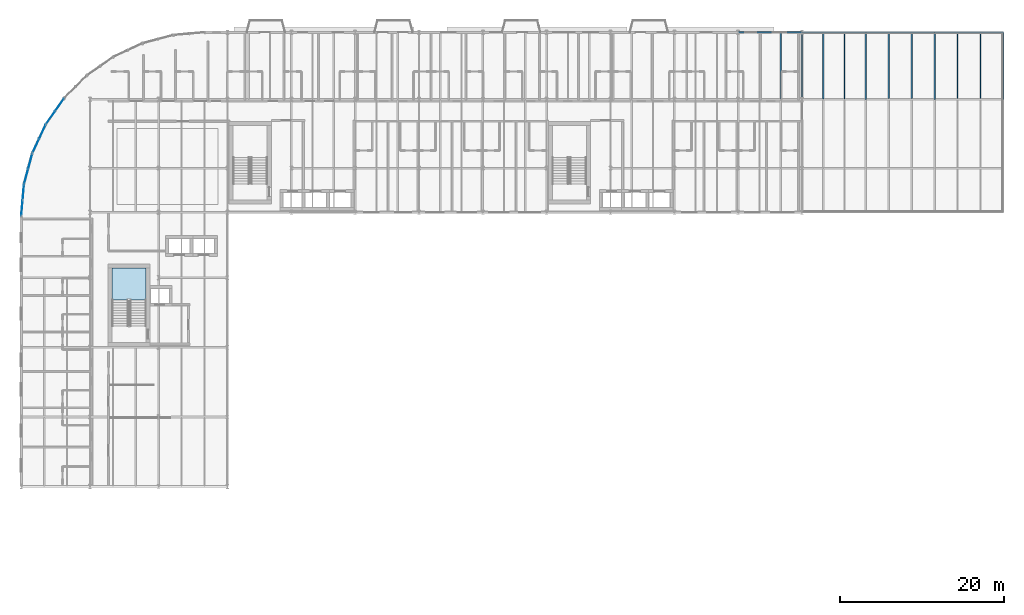
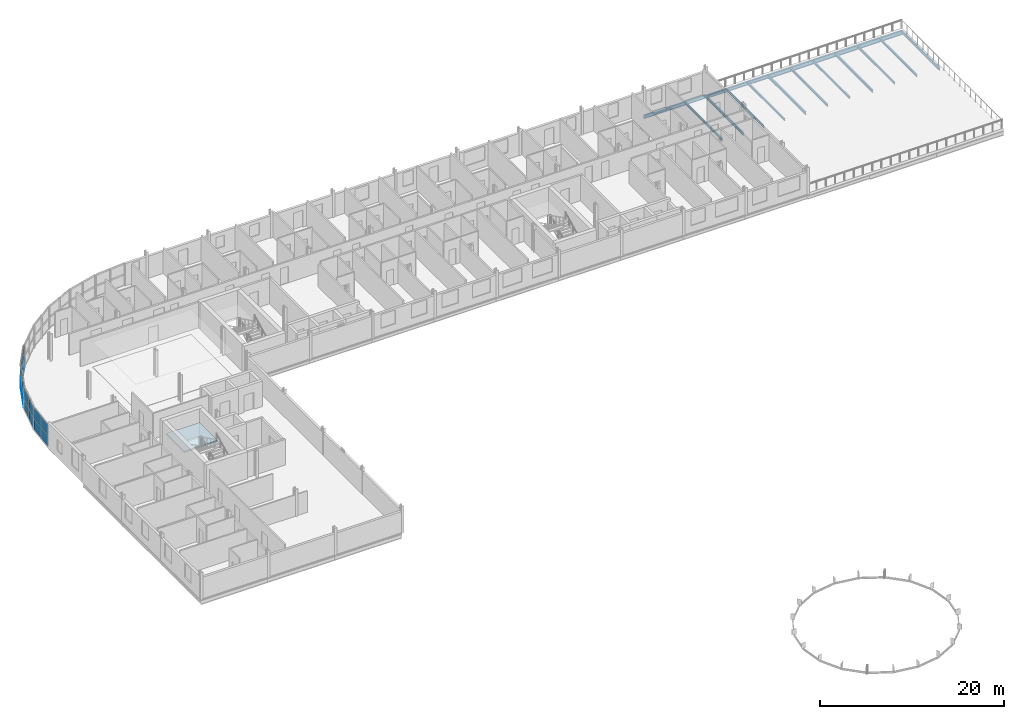
# One storey, part 10 of 30: 16 plates, 15 beams, 1 slab, 5 elements without a shape of their own.
"""IFC4 building model written with IfcOpenShell, lengths in metres."""

from ifc_helpers import new_model, si_unit, direction, frame, origin, origin_2d, place, context, subcontext, project, spatial, polyline, rectangle, i_section, outline, extrude, material, layer, layer_set, material_profile, profile_set, type_object, element, aggregate, save


model = new_model("IFC4")

# Units and contexts
model_context = context("Model", 3, precision=1e-05, world=origin(), true_north=direction((0.0, 1.0)))
body_context = subcontext(model_context, "Body", "Model", "MODEL_VIEW")
ifc_project = project(units=[si_unit("LENGTHUNIT", "METRE"), si_unit("AREAUNIT", "SQUARE_METRE"), si_unit("VOLUMEUNIT", "CUBIC_METRE"), si_unit("PLANEANGLEUNIT", "RADIAN"), si_unit("MASSUNIT", "GRAM", prefix="KILO")], contexts=[model_context])

# Site, building, storey
site_placement = place(None, origin())
site = spatial("IfcSite", under=ifc_project, at=site_placement, CompositionType="ELEMENT")
building_placement = place(site_placement, origin())
building = spatial("IfcBuilding", under=site, at=building_placement, Name="Sefraquen Railside Congress Hotel", CompositionType="ELEMENT")
storey_placement = place(building_placement, frame((0.0, 0.0, 35.39990234375)))
storey = spatial("IfcBuildingStorey", under=building, at=storey_placement, Name="L08", CompositionType="ELEMENT", Elevation=35.39990234375)

# Beams
ifc_material_1 = material(Name="Steel S355JR", Category="steel")
ifc_material_profile_1 = material_profile(ifc_material_1, i_section(OverallWidth=0.169921875, OverallDepth=0.360107421875, WebThickness=0.008056640625, FlangeThickness=0.0126953125, FilletRadius=0.01806640625, at=origin_2d()), Name="IPE 360")
ifc_profile_set_1 = profile_set([ifc_material_profile_1], Name="Steel S355JR")
beam_type_1 = type_object("IfcBeamType", Name="TB-BM-360", PredefinedType="BEAM", material=ifc_profile_set_1)
for number, where, z_axis, x_axis, name in (
    (1, (95.39990234375, 109.800048828125, -0.5), (0.0, 1.0, 0.0), (-1.0, 0.0, 0.0), "Floor beam BM-L08-1939"),
    (2, (103.199951171875, 109.800048828125, -0.5), (0.0, 1.0, 0.0), (-1.0, 0.0, 0.0), "Floor beam BM-L08-1942"),
    (3, (111.60009765625, 109.800048828125, -0.5), (0.0, 1.0, 0.0), (-1.0, 0.0, 0.0), "Floor beam BM-L08-1945"),
    (4, (120.0, 109.800048828125, -0.5), (0.0, 1.0, 0.0), (-1.0, 0.0, 0.0), "Floor beam BM-L08-1948"),
):
    element("IfcBeam", number, at=place(storey_placement, frame(where, z_axis=z_axis, x_axis=x_axis)), inside=storey, type_object=beam_type_1, Name=name, PredefinedType="BEAM", context=body_context, shape_type="SweptSolid", body=[
        extrude(i_section(OverallWidth=0.169921875, OverallDepth=0.360107421875, WebThickness=0.008056640625, FlangeThickness=0.0126953125, FilletRadius=0.01806640625, at=origin_2d()), origin(), (0.0, 0.0, 1.0), 8.199951171875),
    ])
ifc_material_profile_2 = material_profile(ifc_material_1, i_section(OverallWidth=0.18994140625, OverallDepth=0.449951171875, WebThickness=0.009521484375, FlangeThickness=0.0146484375, FilletRadius=0.02099609375, at=origin_2d()), Name="IPE 450")
ifc_profile_set_2 = profile_set([ifc_material_profile_2], Name="Steel S355JR")
beam_type_2 = type_object("IfcBeamType", Name="TB-BM-450", PredefinedType="BEAM", material=ifc_profile_set_2)
beam_1_placement = place(storey_placement, frame((87.60009765625, 118.0, -0.46484375), z_axis=(1.0, 0.0, 0.0), x_axis=(0.0, 1.0, 0.0)))
element("IfcBeam", 5, at=beam_1_placement, inside=storey, type_object=beam_type_2, Name="Primary girder BM-L08-1887", PredefinedType="BEAM", context=body_context, shape_type="SweptSolid", body=[
    extrude(i_section(OverallWidth=0.18994140625, OverallDepth=0.449951171875, WebThickness=0.009521484375, FlangeThickness=0.0146484375, FilletRadius=0.02099609375, at=origin_2d()), origin(), (0.0, 0.0, 1.0), 7.7998046875),
])
beam_2_placement = place(storey_placement, frame((95.39990234375, 118.0, -0.544921875), z_axis=(1.0, 0.0, 0.0), x_axis=(0.0, 1.0, 0.0)))
element("IfcBeam", 6, at=beam_2_placement, inside=storey, type_object=beam_type_2, Name="Primary girder BM-L08-1888", PredefinedType="BEAM", context=body_context, shape_type="SweptSolid", body=[
    extrude(i_section(OverallWidth=0.18994140625, OverallDepth=0.449951171875, WebThickness=0.009521484375, FlangeThickness=0.0146484375, FilletRadius=0.02099609375, at=origin_2d()), origin(), (0.0, 0.0, 1.0), 7.800048828125),
])
ifc_material_profile_3 = material_profile(ifc_material_1, i_section(OverallWidth=0.2099609375, OverallDepth=0.550048828125, WebThickness=0.010986328125, FlangeThickness=0.01708984375, FilletRadius=0.02392578125, at=origin_2d()), Name="IPE 550")
ifc_profile_set_3 = profile_set([ifc_material_profile_3], Name="Steel S355JR")
beam_type_3 = type_object("IfcBeamType", Name="TB-GIR-550", PredefinedType="T_BEAM", material=ifc_profile_set_3)
beam_3_placement = place(storey_placement, frame((103.199951171875, 118.0, -0.594970703125), z_axis=(1.0, 0.0, 0.0), x_axis=(0.0, 1.0, 0.0)))
element("IfcBeam", 7, at=beam_3_placement, inside=storey, type_object=beam_type_3, Name="Primary girder BM-L08-1889", PredefinedType="T_BEAM", context=body_context, shape_type="SweptSolid", body=[
    extrude(i_section(OverallWidth=0.2099609375, OverallDepth=0.550048828125, WebThickness=0.010986328125, FlangeThickness=0.01708984375, FilletRadius=0.02392578125, at=origin_2d()), origin(), (0.0, 0.0, 1.0), 8.400146484375),
])
beam_4_placement = place(storey_placement, frame((111.60009765625, 118.0, -0.594970703125), z_axis=(1.0, 0.0, 0.0), x_axis=(0.0, 1.0, 0.0)))
element("IfcBeam", 8, at=beam_4_placement, inside=storey, type_object=beam_type_3, Name="Primary girder BM-L08-1890", PredefinedType="T_BEAM", context=body_context, shape_type="SweptSolid", body=[
    extrude(i_section(OverallWidth=0.2099609375, OverallDepth=0.550048828125, WebThickness=0.010986328125, FlangeThickness=0.01708984375, FilletRadius=0.02392578125, at=origin_2d()), origin(), (0.0, 0.0, 1.0), 8.39990234375),
])
ifc_material_profile_4 = material_profile(ifc_material_1, i_section(OverallWidth=0.14990234375, OverallDepth=0.300048828125, WebThickness=0.007080078125, FlangeThickness=0.0107421875, FilletRadius=0.014892578125, at=origin_2d()), Name="IPE 300")
ifc_profile_set_4 = profile_set([ifc_material_profile_4], Name="Steel S355JR")
beam_type_4 = type_object("IfcBeamType", Name="TB-JST-300", PredefinedType="JOIST", material=ifc_profile_set_4)
for number, where, z_axis, x_axis, name in (
    (9, (92.800048828125, 109.875, -0.389892578125), (0.0, 1.0, 0.0), (-1.0, 0.0, 0.0), "Composite floor joist BM-L08-J1305"),
    (10, (98.0, 109.875, -0.469970703125), (0.0, 1.0, 0.0), (-1.0, 0.0, 0.0), "Composite floor joist BM-L08-J1310"),
    (11, (100.60009765625, 109.875, -0.469970703125), (0.0, 1.0, 0.0), (-1.0, 0.0, 0.0), "Composite floor joist BM-L08-J1311"),
):
    element("IfcBeam", number, at=place(storey_placement, frame(where, z_axis=z_axis, x_axis=x_axis)), inside=storey, type_object=beam_type_4, Name=name, PredefinedType="JOIST", context=body_context, shape_type="SweptSolid", body=[
        extrude(i_section(OverallWidth=0.14990234375, OverallDepth=0.300048828125, WebThickness=0.007080078125, FlangeThickness=0.0107421875, FilletRadius=0.014892578125, at=origin_2d()), origin(), (0.0, 0.0, 1.0), 8.050048828125),
    ])
for number, where, z_axis, x_axis, name in (
    (12, (106.0, 109.885009765625, -0.469970703125), (0.0, 1.0, 0.0), (-1.0, 0.0, 0.0), "Composite floor joist BM-L08-J1316"),
    (13, (108.800048828125, 109.885009765625, -0.469970703125), (0.0, 1.0, 0.0), (-1.0, 0.0, 0.0), "Composite floor joist BM-L08-J1317"),
    (14, (114.39990234375, 109.885009765625, -0.469970703125), (0.0, 1.0, 0.0), (-1.0, 0.0, 0.0), "Composite floor joist BM-L08-J1322"),
    (15, (117.199951171875, 109.885009765625, -0.469970703125), (0.0, 1.0, 0.0), (-1.0, 0.0, 0.0), "Composite floor joist BM-L08-J1323"),
):
    element("IfcBeam", number, at=place(storey_placement, frame(where, z_axis=z_axis, x_axis=x_axis)), inside=storey, type_object=beam_type_4, Name=name, PredefinedType="JOIST", context=body_context, shape_type="SweptSolid", body=[
        extrude(i_section(OverallWidth=0.14990234375, OverallDepth=0.300048828125, WebThickness=0.007080078125, FlangeThickness=0.0107421875, FilletRadius=0.014892578125, at=origin_2d()), origin(), (0.0, 0.0, 1.0), 8.030029296875),
    ])

# Curtain wall, plates
ifc_material_2 = material(Name="Thermally broken anodised aluminium and low-E double glazing", Category="aluminium")
ifc_layer_1 = layer(ifc_material_2, 0.199951171875)
ifc_layer_set_1 = layer_set([ifc_layer_1], Name="Thermally broken anodised aluminium and low-E double glazing")
curtain_wall_type_1 = type_object("IfcCurtainWallType", Name="TCW-UCW-14", PredefinedType="USERDEFINED", material=ifc_layer_set_1)
curtain_wall_1_placement = place(storey_placement, origin())
curtain_wall_1 = element("IfcCurtainWall", 16, at=curtain_wall_1_placement, inside=storey, type_object=curtain_wall_type_1, Name="Rotunda L08 curved curtain wall facet 6", ObjectType="UNITISED CURTAIN WALL", PredefinedType="USERDEFINED")
ifc_material_3 = material(Name="Solar-control low-E double glazing", Category="glass")
ifc_layer_2 = layer(ifc_material_3, 0.02392578125)
ifc_layer_set_2 = layer_set([ifc_layer_2], Name="Solar-control low-E double glazing")
plate_type_1 = type_object("IfcPlateType", Name="TP-CWP-01", PredefinedType="CURTAIN_PANEL", material=ifc_layer_set_2)
plate_1_placement = place(storey_placement, frame((4.690185546875, 109.14306640625, 0.0400390625), z_axis=(0.0, 0.0, 1.0), x_axis=(-0.573605029802, -0.819132022195, 0.0)))
plate_1 = element("IfcPlate", 17, at=plate_1_placement, type_object=plate_type_1, Name="CW-L08-ROT-06 panel 1.1", PredefinedType="CURTAIN_PANEL", context=body_context, shape_type="SweptSolid", body=[
    extrude(rectangle(XDim=1.8310546875, YDim=0.02392578125, at=origin_2d()), origin(), (0.0, 0.0, 1.0), 1.385009765625),
])
plate_2_placement = place(storey_placement, frame((3.58837890625, 107.569580078125, 0.0400390625), z_axis=(0.0, 0.0, 1.0), x_axis=(-0.573605029802, -0.819132022195, 0.0)))
plate_2 = element("IfcPlate", 18, at=plate_2_placement, type_object=plate_type_1, Name="CW-L08-ROT-06 panel 1.2", PredefinedType="CURTAIN_PANEL", context=body_context, shape_type="SweptSolid", body=[
    extrude(rectangle(XDim=1.8310546875, YDim=0.02392578125, at=origin_2d()), origin(), (0.0, 0.0, 1.0), 1.385009765625),
])

ifc_layer_3 = layer(ifc_material_2, 0.199951171875)
ifc_layer_set_3 = layer_set([ifc_layer_3], Name="Thermally broken anodised aluminium and low-E double glazing")
curtain_wall_type_2 = type_object("IfcCurtainWallType", Name="TCW-UCW-15", PredefinedType="USERDEFINED", material=ifc_layer_set_3)
curtain_wall_2_placement = place(storey_placement, origin())
curtain_wall_2 = element("IfcCurtainWall", 19, at=curtain_wall_2_placement, inside=storey, type_object=curtain_wall_type_2, Name="Rotunda L08 curved curtain wall facet 7", ObjectType="UNITISED CURTAIN WALL", PredefinedType="USERDEFINED")
plate_3_placement = place(storey_placement, frame((2.591552734375, 105.84326171875, 0.0400390625), z_axis=(0.0, 0.0, 1.0), x_axis=(-0.422634079731, -0.906300410818, 0.0)))
plate_3 = element("IfcPlate", 20, at=plate_3_placement, type_object=plate_type_1, Name="CW-L08-ROT-07 panel 1.1", PredefinedType="CURTAIN_PANEL", context=body_context, shape_type="SweptSolid", body=[
    extrude(rectangle(XDim=1.830810546875, YDim=0.02392578125, at=origin_2d()), origin(), (0.0, 0.0, 1.0), 1.385009765625),
])
plate_4_placement = place(storey_placement, frame((1.77978515625, 104.102294921875, 0.0400390625), z_axis=(0.0, 0.0, 1.0), x_axis=(-0.422634079731, -0.906300410818, 0.0)))
plate_4 = element("IfcPlate", 21, at=plate_4_placement, type_object=plate_type_1, Name="CW-L08-ROT-07 panel 1.2", PredefinedType="CURTAIN_PANEL", context=body_context, shape_type="SweptSolid", body=[
    extrude(rectangle(XDim=1.830810546875, YDim=0.02392578125, at=origin_2d()), origin(), (0.0, 0.0, 1.0), 1.385009765625),
])

ifc_layer_4 = layer(ifc_material_2, 0.199951171875)
ifc_layer_set_4 = layer_set([ifc_layer_4], Name="Thermally broken anodised aluminium and low-E double glazing")
curtain_wall_type_3 = type_object("IfcCurtainWallType", Name="TCW-UCW-16", PredefinedType="USERDEFINED", material=ifc_layer_set_4)
curtain_wall_3_placement = place(storey_placement, origin())
curtain_wall_3 = element("IfcCurtainWall", 22, at=curtain_wall_3_placement, inside=storey, type_object=curtain_wall_type_3, Name="Rotunda L08 curved curtain wall facet 8", ObjectType="UNITISED CURTAIN WALL", PredefinedType="USERDEFINED")
plate_5_placement = place(storey_placement, frame((1.097900390625, 102.22900390625, 0.0400390625), z_axis=(0.0, 0.0, 1.0), x_axis=(-0.258785327773, -0.96593486019, 0.0)))
plate_5 = element("IfcPlate", 23, at=plate_5_placement, type_object=plate_type_1, Name="CW-L08-ROT-08 panel 1.1", PredefinedType="CURTAIN_PANEL", context=body_context, shape_type="SweptSolid", body=[
    extrude(rectangle(XDim=1.8310546875, YDim=0.02392578125, at=origin_2d()), origin(), (0.0, 0.0, 1.0), 1.385009765625),
])
plate_6_placement = place(storey_placement, frame((0.6005859375, 100.37353515625, 0.0400390625), z_axis=(0.0, 0.0, 1.0), x_axis=(-0.258785327773, -0.96593486019, 0.0)))
plate_6 = element("IfcPlate", 24, at=plate_6_placement, type_object=plate_type_1, Name="CW-L08-ROT-08 panel 1.2", PredefinedType="CURTAIN_PANEL", context=body_context, shape_type="SweptSolid", body=[
    extrude(rectangle(XDim=1.8310546875, YDim=0.02392578125, at=origin_2d()), origin(), (0.0, 0.0, 1.0), 1.385009765625),
])

ifc_layer_5 = layer(ifc_material_2, 0.199951171875)
ifc_layer_set_5 = layer_set([ifc_layer_5], Name="Thermally broken anodised aluminium and low-E double glazing")
curtain_wall_type_4 = type_object("IfcCurtainWallType", Name="TCW-UCW-17", PredefinedType="USERDEFINED", material=ifc_layer_set_5)
curtain_wall_4_placement = place(storey_placement, origin())
curtain_wall_4 = element("IfcCurtainWall", 25, at=curtain_wall_4_placement, inside=storey, type_object=curtain_wall_type_4, Name="Rotunda L08 curved curtain wall facet 9", ObjectType="UNITISED CURTAIN WALL", PredefinedType="USERDEFINED")
plate_7_placement = place(storey_placement, frame((0.254638671875, 98.410400390625, 0.0400390625), z_axis=(0.0, 0.0, 1.0), x_axis=(-0.087138355857, -0.996196219095, 0.0)))
plate_7 = element("IfcPlate", 26, at=plate_7_placement, type_object=plate_type_1, Name="CW-L08-ROT-09 panel 1.1", PredefinedType="CURTAIN_PANEL", context=body_context, shape_type="SweptSolid", body=[
    extrude(rectangle(XDim=1.8310546875, YDim=0.02392578125, at=origin_2d()), origin(), (0.0, 0.0, 1.0), 1.385009765625),
])
plate_8_placement = place(storey_placement, frame((0.087158203125, 96.49658203125, 0.0400390625), z_axis=(0.0, 0.0, 1.0), x_axis=(-0.087138355857, -0.996196219095, 0.0)))
plate_8 = element("IfcPlate", 27, at=plate_8_placement, type_object=plate_type_1, Name="CW-L08-ROT-09 panel 1.2", PredefinedType="CURTAIN_PANEL", context=body_context, shape_type="SweptSolid", body=[
    extrude(rectangle(XDim=1.8310546875, YDim=0.02392578125, at=origin_2d()), origin(), (0.0, 0.0, 1.0), 1.385009765625),
])

# Plate
ifc_material_4 = material(Name="Triple acoustic solar-control glazing", Category="glass")
ifc_layer_6 = layer(ifc_material_4, 0.031982421875)
ifc_layer_set_6 = layer_set([ifc_layer_6], Name="Triple acoustic solar-control glazing")
plate_type_2 = type_object("IfcPlateType", Name="TP-CWP-02", PredefinedType="CURTAIN_PANEL", material=ifc_layer_set_6)
plate_9_placement = place(storey_placement, frame((4.690185546875, 109.14306640625, 1.5048828125), z_axis=(0.0, 0.0, 1.0), x_axis=(-0.573605029802, -0.819132022195, 0.0)))
plate_9 = element("IfcPlate", 28, at=plate_9_placement, type_object=plate_type_2, Name="CW-L08-ROT-06 panel 2.1", PredefinedType="CURTAIN_PANEL", context=body_context, shape_type="SweptSolid", body=[
    extrude(rectangle(XDim=1.8310546875, YDim=0.031982421875, at=origin_2d()), origin(), (0.0, 0.0, 1.0), 1.385009765625),
])

plate_10_placement = place(storey_placement, frame((3.58837890625, 107.569580078125, 1.5048828125), z_axis=(0.0, 0.0, 1.0), x_axis=(-0.573605029802, -0.819132022195, 0.0)))
plate_10 = element("IfcPlate", 29, at=plate_10_placement, type_object=plate_type_2, Name="CW-L08-ROT-06 panel 2.2", PredefinedType="CURTAIN_PANEL", context=body_context, shape_type="SweptSolid", body=[
    extrude(rectangle(XDim=1.8310546875, YDim=0.031982421875, at=origin_2d()), origin(), (0.0, 0.0, 1.0), 1.385009765625),
])

aggregate(curtain_wall_1, [plate_1, plate_2, plate_9, plate_10])

plate_11_placement = place(storey_placement, frame((2.591552734375, 105.84326171875, 1.5048828125), z_axis=(0.0, 0.0, 1.0), x_axis=(-0.422634079731, -0.906300410818, 0.0)))
plate_11 = element("IfcPlate", 30, at=plate_11_placement, type_object=plate_type_2, Name="CW-L08-ROT-07 panel 2.1", PredefinedType="CURTAIN_PANEL", context=body_context, shape_type="SweptSolid", body=[
    extrude(rectangle(XDim=1.830810546875, YDim=0.031982421875, at=origin_2d()), origin(), (0.0, 0.0, 1.0), 1.385009765625),
])

plate_12_placement = place(storey_placement, frame((1.77978515625, 104.102294921875, 1.5048828125), z_axis=(0.0, 0.0, 1.0), x_axis=(-0.422634079731, -0.906300410818, 0.0)))
plate_12 = element("IfcPlate", 31, at=plate_12_placement, type_object=plate_type_2, Name="CW-L08-ROT-07 panel 2.2", PredefinedType="CURTAIN_PANEL", context=body_context, shape_type="SweptSolid", body=[
    extrude(rectangle(XDim=1.830810546875, YDim=0.031982421875, at=origin_2d()), origin(), (0.0, 0.0, 1.0), 1.385009765625),
])

aggregate(curtain_wall_2, [plate_3, plate_4, plate_11, plate_12])

plate_13_placement = place(storey_placement, frame((1.097900390625, 102.22900390625, 1.5048828125), z_axis=(0.0, 0.0, 1.0), x_axis=(-0.258785327773, -0.96593486019, 0.0)))
plate_13 = element("IfcPlate", 32, at=plate_13_placement, type_object=plate_type_2, Name="CW-L08-ROT-08 panel 2.1", PredefinedType="CURTAIN_PANEL", context=body_context, shape_type="SweptSolid", body=[
    extrude(rectangle(XDim=1.8310546875, YDim=0.031982421875, at=origin_2d()), origin(), (0.0, 0.0, 1.0), 1.385009765625),
])

plate_14_placement = place(storey_placement, frame((0.6005859375, 100.37353515625, 1.5048828125), z_axis=(0.0, 0.0, 1.0), x_axis=(-0.258785327773, -0.96593486019, 0.0)))
plate_14 = element("IfcPlate", 33, at=plate_14_placement, type_object=plate_type_2, Name="CW-L08-ROT-08 panel 2.2", PredefinedType="CURTAIN_PANEL", context=body_context, shape_type="SweptSolid", body=[
    extrude(rectangle(XDim=1.8310546875, YDim=0.031982421875, at=origin_2d()), origin(), (0.0, 0.0, 1.0), 1.385009765625),
])

aggregate(curtain_wall_3, [plate_5, plate_6, plate_13, plate_14])

plate_15_placement = place(storey_placement, frame((0.254638671875, 98.410400390625, 1.5048828125), z_axis=(0.0, 0.0, 1.0), x_axis=(-0.087138355857, -0.996196219095, 0.0)))
plate_15 = element("IfcPlate", 34, at=plate_15_placement, type_object=plate_type_2, Name="CW-L08-ROT-09 panel 2.1", PredefinedType="CURTAIN_PANEL", context=body_context, shape_type="SweptSolid", body=[
    extrude(rectangle(XDim=1.8310546875, YDim=0.031982421875, at=origin_2d()), origin(), (0.0, 0.0, 1.0), 1.385009765625),
])

plate_16_placement = place(storey_placement, frame((0.087158203125, 96.49658203125, 1.5048828125), z_axis=(0.0, 0.0, 1.0), x_axis=(-0.087138355857, -0.996196219095, 0.0)))
plate_16 = element("IfcPlate", 35, at=plate_16_placement, type_object=plate_type_2, Name="CW-L08-ROT-09 panel 2.2", PredefinedType="CURTAIN_PANEL", context=body_context, shape_type="SweptSolid", body=[
    extrude(rectangle(XDim=1.8310546875, YDim=0.031982421875, at=origin_2d()), origin(), (0.0, 0.0, 1.0), 1.385009765625),
])

aggregate(curtain_wall_4, [plate_7, plate_8, plate_15, plate_16])

# Stair, slab
ifc_material_5 = material(Name="Concrete C40/50", Category="concrete")
stair_type = type_object("IfcStairType", Name="TST-DOG-198-360", PredefinedType="HALF_TURN_STAIR", material=ifc_material_5)
stair_placement = place(storey_placement, origin())
stair = element("IfcStair", 36, at=stair_placement, inside=storey, type_object=stair_type, Name="L08 Pressurized escape stair ST-H01", PredefinedType="HALF_TURN_STAIR")
ifc_layer_7 = layer(ifc_material_5, 0.199951171875)
ifc_layer_set_7 = layer_set([ifc_layer_7], Name="Concrete C40/50")
slab_type = type_object("IfcSlabType", Name="TS-LD-200", PredefinedType="LANDING", material=ifc_layer_set_7)
slab_placement = place(storey_placement, frame((0.0, 0.0, 1.60009765625)))
slab = element("IfcSlab", 37, at=slab_placement, type_object=slab_type, Name="ST-H01 landing 1", PredefinedType="LANDING", context=body_context, shape_type="SweptSolid", body=[
    extrude(outline(polyline([(15.260009765625, 85.300048828125), (15.260009765625, 89.2119140625), (11.10009765625, 89.2119140625), (11.10009765625, 85.300048828125), (15.260009765625, 85.300048828125)])), origin(), (0.0, 0.0, 1.0), 0.199951171875),
])
aggregate(stair, [slab])

save(model, "model.ifc")
